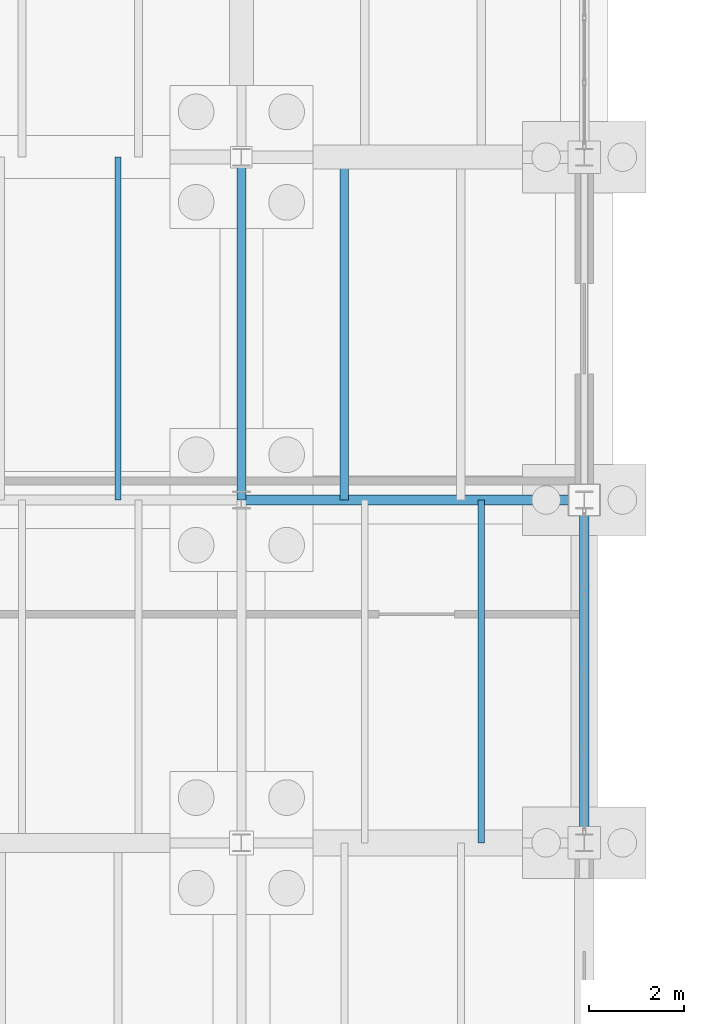
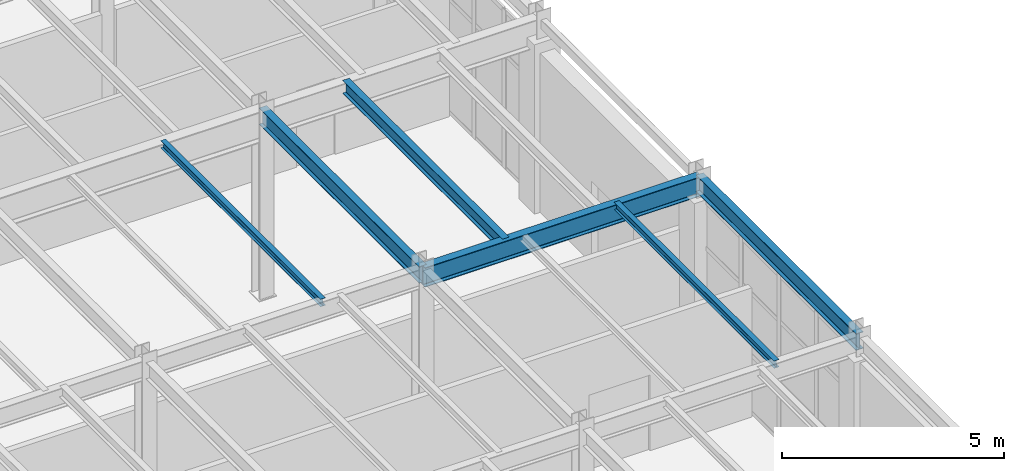
# One storey, part 66 of 293: 6 beams.
"""IFC4 building model written with IfcOpenShell, lengths in metres."""

from ifc_helpers import new_model, si_unit, direction, frame, origin, origin_2d, place, context, subcontext, project, spatial, i_section, extrude, material, material_profile, profile_set, type_object, element, save


model = new_model("IFC4")

# Units and contexts
model_context = context("Model", 3, precision=1e-05, world=origin(), true_north=direction((0.0, 1.0)))
body_context = subcontext(model_context, "Body", "Model", "MODEL_VIEW")
ifc_project = project(units=[si_unit("LENGTHUNIT", "METRE"), si_unit("AREAUNIT", "SQUARE_METRE"), si_unit("VOLUMEUNIT", "CUBIC_METRE"), si_unit("PLANEANGLEUNIT", "RADIAN"), si_unit("MASSUNIT", "GRAM", prefix="KILO")], contexts=[model_context])

# Site, building, storey
site_placement = place(None, origin())
site = spatial("IfcSite", under=ifc_project, at=site_placement, CompositionType="ELEMENT")
building_placement = place(site_placement, origin())
building = spatial("IfcBuilding", under=site, at=building_placement, Name="Kemerveld Promenade Tramway Depot", CompositionType="ELEMENT")
storey_placement = place(building_placement, origin())
storey = spatial("IfcBuildingStorey", under=building, at=storey_placement, Name="L00", CompositionType="ELEMENT", Elevation=0.0)

# Beams
ifc_material = material(Name="Steel S355", Category="steel")
ifc_material_profile_1 = material_profile(ifc_material, i_section(OverallWidth=0.2099609375, OverallDepth=0.53662109375, WebThickness=0.0107421875, FlangeThickness=0.017333984375, FilletRadius=0.0126953125, at=origin_2d()), Name="533x210x101 UB")
ifc_profile_set_1 = profile_set([ifc_material_profile_1], Name="Steel S355")
beam_type_1 = type_object("IfcBeamType", Name="BM-G05", PredefinedType="BEAM", material=ifc_profile_set_1)
beam_1_placement = place(storey_placement, frame((50.39990234375, 43.199951171875, 4.881591796875), z_axis=(1.0, 0.0, 0.0), x_axis=(0.0, 1.0, 0.0)))
element("IfcBeam", 1, at=beam_1_placement, inside=storey, type_object=beam_type_1, Name="BMX-L00-08-09-G", PredefinedType="BEAM", context=body_context, shape_type="SweptSolid", body=[
    extrude(i_section(OverallWidth=0.2099609375, OverallDepth=0.53662109375, WebThickness=0.0107421875, FlangeThickness=0.017333984375, FilletRadius=0.0126953125, at=origin_2d()), origin(), (0.0, 0.0, 1.0), 7.2001953125),
])
ifc_material_profile_2 = material_profile(ifc_material, i_section(OverallWidth=0.19140625, OverallDepth=0.4599609375, WebThickness=0.010009765625, FlangeThickness=0.01611328125, FilletRadius=0.01025390625, at=origin_2d()), Name="457x191x82 UB")
ifc_profile_set_2 = profile_set([ifc_material_profile_2], Name="Steel S355")
beam_type_2 = type_object("IfcBeamType", Name="BM-G06", PredefinedType="BEAM", material=ifc_profile_set_2)
for number, where, z_axis, x_axis, name in (
    (2, (50.39990234375, 43.199951171875, 4.919921875), (0.0, 1.0, 0.0), (-1.0, 0.0, 0.0), "BMY-L00-08-G-H"),
    (3, (57.60009765625, 36.0, 4.919921875), (0.0, 1.0, 0.0), (-1.0, 0.0, 0.0), "BMY-L00-09-F-G"),
):
    element("IfcBeam", number, at=place(storey_placement, frame(where, z_axis=z_axis, x_axis=x_axis)), inside=storey, type_object=beam_type_2, Name=name, PredefinedType="BEAM", context=body_context, shape_type="SweptSolid", body=[
        extrude(i_section(OverallWidth=0.19140625, OverallDepth=0.4599609375, WebThickness=0.010009765625, FlangeThickness=0.01611328125, FilletRadius=0.01025390625, at=origin_2d()), origin(), (0.0, 0.0, 1.0), 7.199951171875),
    ])
ifc_material_profile_3 = material_profile(ifc_material, i_section(OverallWidth=0.13330078125, OverallDepth=0.203125, WebThickness=0.005615234375, FlangeThickness=0.0078125, FilletRadius=0.007568359375, at=origin_2d()), Name="203x133x25 UB")
ifc_profile_set_3 = profile_set([ifc_material_profile_3], Name="Steel S355")
beam_type_3 = type_object("IfcBeamType", Name="BM-J03", PredefinedType="JOIST", material=ifc_profile_set_3)
for number, where, z_axis, x_axis, name in (
    (4, (47.80810546875, 43.199951171875, 5.04833984375), (0.0, 1.0, 0.0), (-1.0, 0.0, 0.0), "JST-L00-07-G-2"),
    (5, (55.43994140625, 36.0, 5.04833984375), (0.0, 1.0, 0.0), (-1.0, 0.0, 0.0), "JST-L00-08-F-2"),
):
    element("IfcBeam", number, at=place(storey_placement, frame(where, z_axis=z_axis, x_axis=x_axis)), inside=storey, type_object=beam_type_3, Name=name, PredefinedType="JOIST", context=body_context, shape_type="SweptSolid", body=[
        extrude(i_section(OverallWidth=0.13330078125, OverallDepth=0.203125, WebThickness=0.005615234375, FlangeThickness=0.0078125, FilletRadius=0.007568359375, at=origin_2d()), origin(), (0.0, 0.0, 1.0), 7.199951171875),
    ])
ifc_material_profile_4 = material_profile(ifc_material, i_section(OverallWidth=0.172119140625, OverallDepth=0.35791015625, WebThickness=0.008056640625, FlangeThickness=0.012939453125, FilletRadius=0.01025390625, at=origin_2d()), Name="356x171x57 UB")
ifc_profile_set_4 = profile_set([ifc_material_profile_4], Name="Steel S355")
beam_type_4 = type_object("IfcBeamType", Name="BM-J04", PredefinedType="JOIST", material=ifc_profile_set_4)
beam_2_placement = place(storey_placement, frame((52.56005859375, 43.199951171875, 4.970947265625), z_axis=(0.0, 1.0, 0.0), x_axis=(-1.0, 0.0, 0.0)))
element("IfcBeam", 6, at=beam_2_placement, inside=storey, type_object=beam_type_4, Name="JST-L00-08-G-1", PredefinedType="JOIST", context=body_context, shape_type="SweptSolid", body=[
    extrude(i_section(OverallWidth=0.172119140625, OverallDepth=0.35791015625, WebThickness=0.008056640625, FlangeThickness=0.012939453125, FilletRadius=0.01025390625, at=origin_2d()), origin(), (0.0, 0.0, 1.0), 7.199951171875),
])

save(model, "model.ifc")
